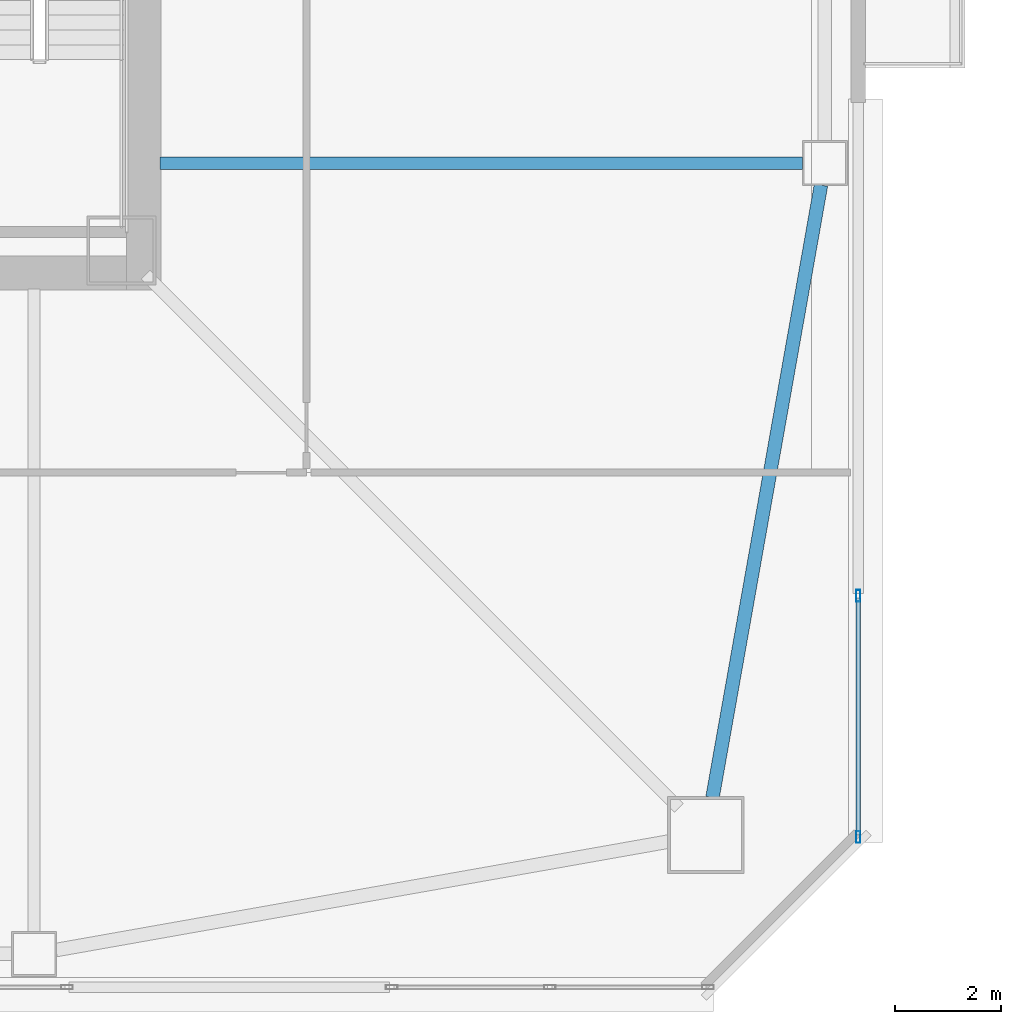
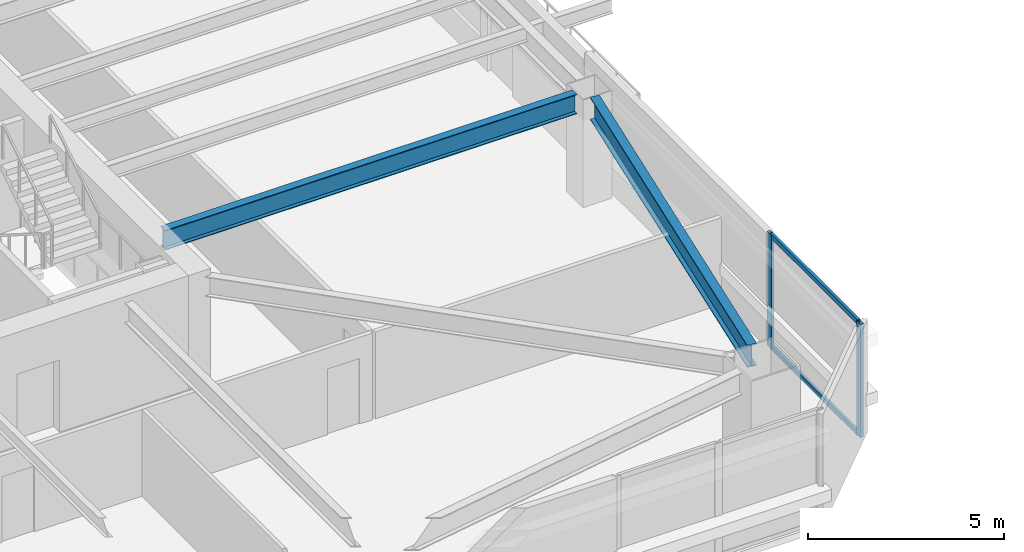
# One storey, part 9 of 44: 4 members, 2 beams, 1 element without a shape of its own.
"""IFC4 building model written with IfcOpenShell, lengths in metres."""

from ifc_helpers import new_model, si_unit, direction, frame, origin, origin_2d, place, context, subcontext, project, spatial, hollow_rectangle, i_section, extrude, material, material_profile, profile_set, type_object, element, aggregate, save


model = new_model("IFC4")

# Units and contexts
model_context = context("Model", 3, precision=1e-05, world=origin(), true_north=direction((0.0, 1.0)))
body_context = subcontext(model_context, "Body", "Model", "MODEL_VIEW")
ifc_project = project(units=[si_unit("LENGTHUNIT", "METRE"), si_unit("AREAUNIT", "SQUARE_METRE"), si_unit("VOLUMEUNIT", "CUBIC_METRE"), si_unit("PLANEANGLEUNIT", "RADIAN"), si_unit("MASSUNIT", "GRAM", prefix="KILO")], contexts=[model_context])

# Site, building, storey
site_placement = place(None, origin())
site = spatial("IfcSite", under=ifc_project, at=site_placement, CompositionType="ELEMENT")
building_placement = place(site_placement, origin())
building = spatial("IfcBuilding", under=site, at=building_placement, Name="Tashvorn Skyway Center", CompositionType="ELEMENT")
storey_placement = place(building_placement, frame((0.0, 0.0, 84.949951171875)))
storey = spatial("IfcBuildingStorey", under=building, at=storey_placement, Name="L22", CompositionType="ELEMENT", Elevation=84.949951171875)

# Beams
ifc_material_1 = material(Name="Steel ASTM A992 Grade 50", Category="steel")
ifc_material_profile_1 = material_profile(ifc_material_1, i_section(OverallWidth=0.22998046875, OverallDepth=0.616943359375, WebThickness=0.01318359375, FlangeThickness=0.022216796875, at=origin_2d()), Name="W24X94")
ifc_profile_set_1 = profile_set([ifc_material_profile_1], Name="Steel ASTM A992 Grade 50")
beam_type_1 = type_object("IfcBeamType", Name="BM-BEAM-W24X94", PredefinedType="BEAM", material=ifc_profile_set_1)
beam_1_placement = place(storey_placement, frame((61.929931640625, 26.60009765625, 3.04150390625), z_axis=(-1.0, 0.0, 0.0), x_axis=(0.0, -1.0, 0.0)))
element("IfcBeam", 1, at=beam_1_placement, inside=storey, type_object=beam_type_1, Name="Tower 1 L22 Primary Floor Girder FC-E1", PredefinedType="BEAM", context=body_context, shape_type="SweptSolid", body=[
    extrude(i_section(OverallWidth=0.22998046875, OverallDepth=0.616943359375, WebThickness=0.01318359375, FlangeThickness=0.022216796875, at=origin_2d()), origin(), (0.0, 0.0, 1.0), 12.14990234375),
])
ifc_material_profile_2 = material_profile(ifc_material_1, i_section(OverallWidth=0.256103515625, OverallDepth=0.693115234375, WebThickness=0.014404296875, FlangeThickness=0.023681640625, at=origin_2d()), Name="W27X114")
ifc_profile_set_2 = profile_set([ifc_material_profile_2], Name="Steel ASTM A992 Grade 50")
beam_type_2 = type_object("IfcBeamType", Name="BM-SPANDREL-W27X114", PredefinedType="SPANDREL", material=ifc_profile_set_2)
beam_2_placement = place(storey_placement, frame((60.2255859375, 14.60888671875, 3.003662109375), z_axis=(0.174437966698, 0.98466816531, 0.0), x_axis=(-0.98466816531, 0.174437966698, 0.0)))
element("IfcBeam", 2, at=beam_2_placement, inside=storey, type_object=beam_type_2, Name="Tower 1 L22 Spandrel Beam 04", PredefinedType="SPANDREL", context=body_context, shape_type="SweptSolid", body=[
    extrude(i_section(OverallWidth=0.256103515625, OverallDepth=0.693115234375, WebThickness=0.014404296875, FlangeThickness=0.023681640625, at=origin_2d()), origin(), (0.0, 0.0, 1.0), 11.7578125),
])

# Curtain wall, members
ifc_material_2 = material(Name="Thermally broken bronze-anodized aluminium 6063-T6", Category="aluminium")
curtain_wall_type = type_object("IfcCurtainWallType", Name="CW-CW-Z2", PredefinedType="NOTDEFINED", material=ifc_material_2)
curtain_wall_placement = place(storey_placement, origin())
curtain_wall = element("IfcCurtainWall", 3, at=curtain_wall_placement, inside=storey, type_object=curtain_wall_type, Name="Tower 1 L22 East Curtain Wall R Glazing Group 1", PredefinedType="NOTDEFINED")
ifc_material_profile_3 = material_profile(ifc_material_2, hollow_rectangle(XDim=0.080078125, YDim=0.219970703125, WallThickness=0.0048828125, at=origin_2d()), Name="ALU-MULL-80x220")
ifc_profile_set_3 = profile_set([ifc_material_profile_3], Name="Thermally broken bronze-anodized aluminium 6063-T6")
member_type_1 = type_object("IfcMemberType", Name="CWM-CW-Z2", PredefinedType="MULLION", material=ifc_profile_set_3)
member_1_placement = place(storey_placement, frame((62.97998046875, 18.42333984375, 0.0), z_axis=(0.0, 0.0, 1.0), x_axis=(1.0, 0.0, 0.0)))
member_1 = element("IfcMember", 4, at=member_1_placement, type_object=member_type_1, Name="CW-Z2 mullion 1", PredefinedType="MULLION", context=body_context, shape_type="SweptSolid", body=[
    extrude(hollow_rectangle(XDim=0.080078125, YDim=0.219970703125, WallThickness=0.0048828125, at=origin_2d()), origin(), (0.0, 0.0, 1.0), 3.550048828125),
])
member_2_placement = place(storey_placement, frame((62.97998046875, 13.860107421875, 0.0), z_axis=(0.0, 0.0, 1.0), x_axis=(1.0, 0.0, 0.0)))
member_2 = element("IfcMember", 5, at=member_2_placement, type_object=member_type_1, Name="CW-Z2 mullion 2", PredefinedType="MULLION", context=body_context, shape_type="SweptSolid", body=[
    extrude(hollow_rectangle(XDim=0.080078125, YDim=0.219970703125, WallThickness=0.0048828125, at=origin_2d()), origin(), (0.0, 0.0, 1.0), 3.550048828125),
])
ifc_material_profile_4 = material_profile(ifc_material_2, hollow_rectangle(XDim=0.080078125, YDim=0.14990234375, WallThickness=0.00439453125, at=origin_2d()), Name="ALU-TRAN-80x150")
ifc_profile_set_4 = profile_set([ifc_material_profile_4], Name="Thermally broken bronze-anodized aluminium 6063-T6")
member_type_2 = type_object("IfcMemberType", Name="CWT-CW-Z2", PredefinedType="USERDEFINED", material=ifc_profile_set_4)
member_3_placement = place(storey_placement, frame((62.97998046875, 18.38330078125, 0.0400390625), z_axis=(0.0, -1.0, 0.0), x_axis=(1.0, 0.0, 0.0)))
member_3 = element("IfcMember", 6, at=member_3_placement, type_object=member_type_2, Name="CW-Z2 transom 1.1", ObjectType="TRANSOM", PredefinedType="USERDEFINED", context=body_context, shape_type="SweptSolid", body=[
    extrude(hollow_rectangle(XDim=0.080078125, YDim=0.14990234375, WallThickness=0.00439453125, at=origin_2d()), origin(), (0.0, 0.0, 1.0), 4.4833984375),
])
member_4_placement = place(storey_placement, frame((62.97998046875, 18.38330078125, 3.510009765625), z_axis=(0.0, -1.0, 0.0), x_axis=(1.0, 0.0, 0.0)))
member_4 = element("IfcMember", 7, at=member_4_placement, type_object=member_type_2, Name="CW-Z2 transom 1.2", ObjectType="TRANSOM", PredefinedType="USERDEFINED", context=body_context, shape_type="SweptSolid", body=[
    extrude(hollow_rectangle(XDim=0.080078125, YDim=0.14990234375, WallThickness=0.00439453125, at=origin_2d()), origin(), (0.0, 0.0, 1.0), 4.4833984375),
])
aggregate(curtain_wall, [member_1, member_2, member_3, member_4])

save(model, "model.ifc")
